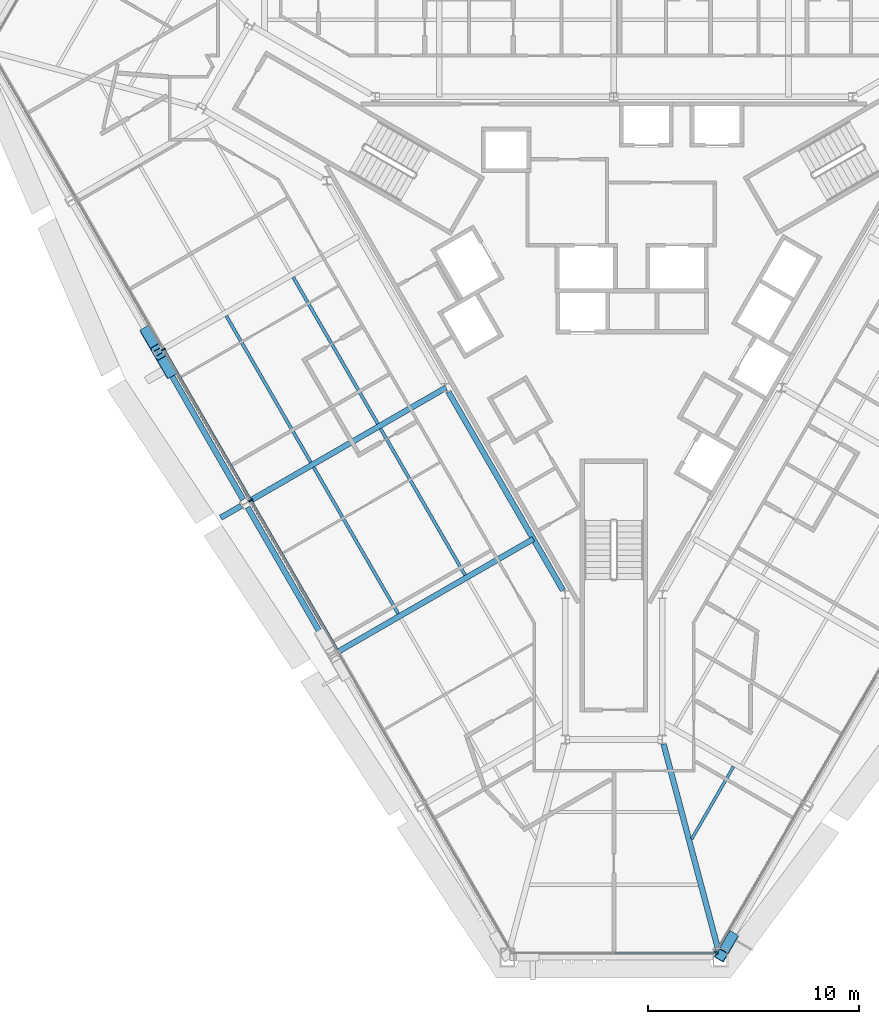
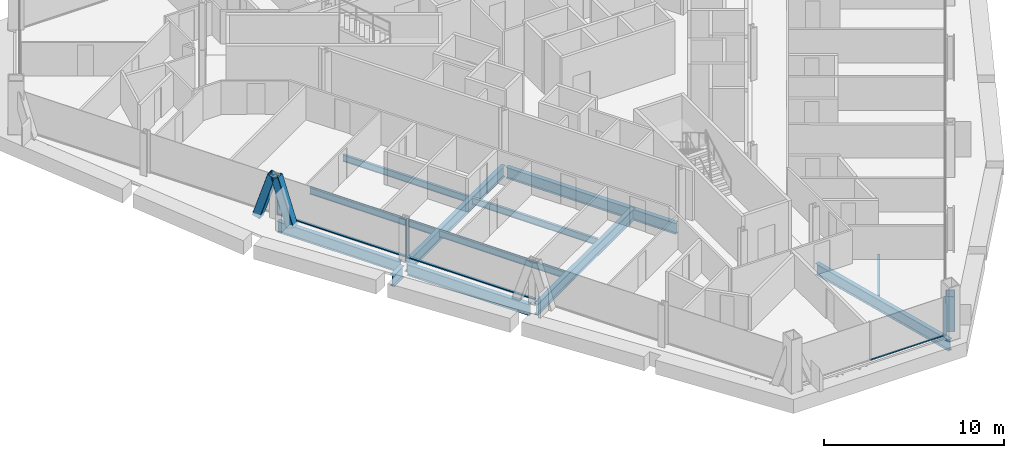
# One storey, part 4 of 17: 12 beams, 9 members, 3 elements without a shape of their own.
"""IFC4 building model written with IfcOpenShell, lengths in metres."""

from ifc_helpers import new_model, si_unit, direction, frame, origin, origin_2d, place, context, subcontext, project, spatial, rectangle, hollow_rectangle, i_section, extrude, material, material_profile, profile_set, type_object, element, aggregate, save


model = new_model("IFC4")

# Units and contexts
model_context = context("Model", 3, precision=1e-05, world=origin(), true_north=direction((0.0, 1.0)))
body_context = subcontext(model_context, "Body", "Model", "MODEL_VIEW")
ifc_project = project(units=[si_unit("LENGTHUNIT", "METRE"), si_unit("AREAUNIT", "SQUARE_METRE"), si_unit("VOLUMEUNIT", "CUBIC_METRE"), si_unit("PLANEANGLEUNIT", "RADIAN"), si_unit("MASSUNIT", "GRAM", prefix="KILO")], contexts=[model_context])

# Site, building, storey
site_placement = place(None, origin())
site = spatial("IfcSite", under=ifc_project, at=site_placement, CompositionType="ELEMENT")
building_placement = place(site_placement, origin())
building = spatial("IfcBuilding", under=site, at=building_placement, Name="Verrane Prism Tower", CompositionType="ELEMENT")
storey_placement = place(building_placement, frame((0.0, 0.0, 139.60009765625)))
storey = spatial("IfcBuildingStorey", under=building, at=storey_placement, Name="L34", CompositionType="ELEMENT", Elevation=139.60009765625)

# Beams
ifc_material_1 = material(Name="Steel A992", Category="steel")
ifc_material_profile_1 = material_profile(ifc_material_1, i_section(OverallWidth=0.2666015625, OverallDepth=0.7568359375, WebThickness=0.013916015625, FlangeThickness=0.019287109375, FilletRadius=0.0166015625, at=origin_2d()), Name="W30x108")
ifc_profile_set_1 = profile_set([ifc_material_profile_1], Name="Steel A992")
beam_type_1 = type_object("IfcBeamType", Name="Core ring girder W30x108", PredefinedType="BEAM", material=ifc_profile_set_1)
beam_1_placement = place(storey_placement, frame((-7.85498046875, -4.79931640625, -0.628662109375), z_axis=(0.500034555306, -0.86600545235, 0.0), x_axis=(0.86600545235, 0.500034555306, 0.0)))
element("IfcBeam", 1, at=beam_1_placement, inside=storey, type_object=beam_type_1, Name="Core ring girder L34", PredefinedType="BEAM", context=body_context, shape_type="SweptSolid", body=[
    extrude(i_section(OverallWidth=0.2666015625, OverallDepth=0.7568359375, WebThickness=0.013916015625, FlangeThickness=0.019287109375, FilletRadius=0.0166015625, at=origin_2d()), origin(), (0.0, 0.0, 1.0), 10.879150390625),
])
ifc_material_2 = material(Name="Steel A992", Category="steel")
ifc_material_profile_2 = material_profile(ifc_material_2, i_section(OverallWidth=0.2666015625, OverallDepth=0.76708984375, WebThickness=0.014892578125, FlangeThickness=0.023681640625, FilletRadius=0.0166015625, at=origin_2d()), Name="W30x124")
ifc_profile_set_2 = profile_set([ifc_material_profile_2], Name="Steel A992")
beam_type_2 = type_object("IfcBeamType", Name="Corner girder W30x124", PredefinedType="BEAM", material=ifc_profile_set_2)
beam_2_placement = place(storey_placement, frame((5.048828125, -31.6357421875, -0.603515625), z_axis=(-0.25700370652, 0.966410417387, 0.0), x_axis=(-0.966410417387, -0.25700370652, 0.0)))
element("IfcBeam", 2, at=beam_2_placement, inside=storey, type_object=beam_type_2, Name="Corner girder L34", PredefinedType="BEAM", context=body_context, shape_type="SweptSolid", body=[
    extrude(i_section(OverallWidth=0.2666015625, OverallDepth=0.76708984375, WebThickness=0.014892578125, FlangeThickness=0.023681640625, FilletRadius=0.0166015625, at=origin_2d()), origin(), (0.0, 0.0, 1.0), 10.470458984375),
])

# Members
ifc_material_3 = material(Name="Steel A1085 Grade A", Category="steel")
ifc_material_profile_3 = material_profile(ifc_material_3, hollow_rectangle(XDim=0.508056640625, YDim=0.508056640625, WallThickness=0.025390625, InnerFilletRadius=0.0126953125, OuterFilletRadius=0.0380859375, at=origin_2d()), Name="HSS20x20x1")
ifc_profile_set_3 = profile_set([ifc_material_profile_3], Name="Steel A1085 Grade A")
member_type_1 = type_object("IfcMemberType", Name="Facade brace HSS20x20x1", PredefinedType="BRACE", material=ifc_profile_set_3)
member_1_placement = place(storey_placement, frame((-22.17529296875, -1.966796875, -0.24267578125), z_axis=(0.152516455666, -0.265407423844, 0.951996654469), x_axis=(0.867037295615, 0.498243241814, 0.0)))
element("IfcMember", 3, at=member_1_placement, inside=storey, type_object=member_type_1, Name="Facade brace SW1 L34", PredefinedType="BRACE", context=body_context, shape_type="SweptSolid", body=[
    extrude(hollow_rectangle(XDim=0.508056640625, YDim=0.508056640625, WallThickness=0.025390625, InnerFilletRadius=0.0126953125, OuterFilletRadius=0.0380859375, at=origin_2d()), origin(), (0.0, 0.0, 1.0), 3.222412109375),
])
member_2_placement = place(storey_placement, frame((-21.085693359375, -3.85498046875, -0.24267578125), z_axis=(-0.15287987781, 0.263844746979, 0.952372664692), x_axis=(-0.865244706147, -0.501349776587, 0.0)))
element("IfcMember", 4, at=member_2_placement, inside=storey, type_object=member_type_1, Name="Facade brace SW2 L34", PredefinedType="BRACE", context=body_context, shape_type="SweptSolid", body=[
    extrude(hollow_rectangle(XDim=0.508056640625, YDim=0.508056640625, WallThickness=0.025390625, InnerFilletRadius=0.0126953125, OuterFilletRadius=0.0380859375, at=origin_2d()), origin(), (0.0, 0.0, 1.0), 3.220947265625),
])
member_3_placement = place(storey_placement, frame((5.593994140625, -30.696533203125, -0.24267578125), z_axis=(-0.153317843434, -0.263967399248, 0.952268266309), x_axis=(0.864722862712, -0.502249311302, 0.0)))
element("IfcMember", 5, at=member_3_placement, inside=storey, type_object=member_type_1, Name="Facade brace SE0 L34", PredefinedType="BRACE", context=body_context, shape_type="SweptSolid", body=[
    extrude(hollow_rectangle(XDim=0.508056640625, YDim=0.508056640625, WallThickness=0.025390625, InnerFilletRadius=0.0126953125, OuterFilletRadius=0.0380859375, at=origin_2d()), origin(), (0.0, 0.0, 1.0), 3.221435546875),
])

# Beams
ifc_material_4 = material(Name="Steel A992", Category="steel")
ifc_material_profile_4 = material_profile(ifc_material_4, i_section(OverallWidth=0.140380859375, OverallDepth=0.40380859375, WebThickness=0.007080078125, FlangeThickness=0.01123046875, FilletRadius=0.01025390625, at=origin_2d()), Name="W16x31")
ifc_profile_set_4 = profile_set([ifc_material_profile_4], Name="Steel A992")
beam_type_3 = type_object("IfcBeamType", Name="Floor beam W16x31", PredefinedType="BEAM", material=ifc_profile_set_4)
beam_3_placement = place(storey_placement, frame((3.69482421875, -26.025390625, -0.362060546875), z_axis=(0.500073727646, 0.865982832923, 0.0), x_axis=(-0.865982832923, 0.500073727646, 0.0)))
element("IfcBeam", 6, at=beam_3_placement, inside=storey, type_object=beam_type_3, Name="Floor beam L34", PredefinedType="BEAM", context=body_context, shape_type="SweptSolid", body=[
    extrude(i_section(OverallWidth=0.140380859375, OverallDepth=0.40380859375, WebThickness=0.007080078125, FlangeThickness=0.01123046875, FilletRadius=0.01025390625, at=origin_2d()), origin(), (0.0, 0.0, 1.0), 3.970703125),
])
ifc_material_5 = material(Name="Steel A992", Category="steel")
ifc_material_profile_5 = material_profile(ifc_material_5, i_section(OverallWidth=0.15234375, OverallDepth=0.449462890625, WebThickness=0.007568359375, FlangeThickness=0.0107421875, FilletRadius=0.01025390625, at=origin_2d()), Name="W18x35")
ifc_profile_set_5 = profile_set([ifc_material_profile_5], Name="Steel A992")
beam_type_4 = type_object("IfcBeamType", Name="Floor beam W18x35", PredefinedType="BEAM", material=ifc_profile_set_5)
for number, where, z_axis, x_axis, name in (
    (7, (-11.20458984375, -6.314453125, -0.385009765625), (-0.500007577232, 0.866021029023, 0.0), (-0.866021029023, -0.500007577232, 0.0), "Floor beam L34"),
    (8, (-14.380615234375, -8.1494140625, -0.385009765625), (-0.500007577232, 0.866021029023, 0.0), (-0.866021029023, -0.500007577232, 0.0), "Floor beam L34"),
):
    element("IfcBeam", number, at=place(storey_placement, frame(where, z_axis=z_axis, x_axis=x_axis)), inside=storey, type_object=beam_type_4, Name=name, PredefinedType="BEAM", context=body_context, shape_type="SweptSolid", body=[
        extrude(i_section(OverallWidth=0.15234375, OverallDepth=0.449462890625, WebThickness=0.007568359375, FlangeThickness=0.0107421875, FilletRadius=0.01025390625, at=origin_2d()), origin(), (0.0, 0.0, 1.0), 8.02978515625),
    ])
beam_4_placement = place(storey_placement, frame((-7.061279296875, -13.498291015625, -0.385009765625), z_axis=(-0.499996300355, 0.866027539765, 0.0), x_axis=(-0.866027539765, -0.499996300355, 0.0)))
element("IfcBeam", 9, at=beam_4_placement, inside=storey, type_object=beam_type_4, Name="Floor beam L34", PredefinedType="BEAM", context=body_context, shape_type="SweptSolid", body=[
    extrude(i_section(OverallWidth=0.15234375, OverallDepth=0.449462890625, WebThickness=0.007568359375, FlangeThickness=0.0107421875, FilletRadius=0.01025390625, at=origin_2d()), origin(), (0.0, 0.0, 1.0), 8.02587890625),
])
beam_5_placement = place(storey_placement, frame((-10.235595703125, -15.33251953125, -0.385009765625), z_axis=(-0.500005942522, 0.86602197284, 0.0), x_axis=(-0.86602197284, -0.500005942522, 0.0)))
element("IfcBeam", 10, at=beam_5_placement, inside=storey, type_object=beam_type_4, Name="Floor beam L34", PredefinedType="BEAM", context=body_context, shape_type="SweptSolid", body=[
    extrude(i_section(OverallWidth=0.15234375, OverallDepth=0.449462890625, WebThickness=0.007568359375, FlangeThickness=0.0107421875, FilletRadius=0.01025390625, at=origin_2d()), origin(), (0.0, 0.0, 1.0), 8.0263671875),
])

# Curtain wall, members
ifc_material_6 = material(Name="Aluminium framed insulated glazing", Category="aluminium")
curtain_wall_type_1 = type_object("IfcCurtainWallType", Name="Curtain wall CW-A 8400 module", PredefinedType="NOTDEFINED", material=ifc_material_6)
curtain_wall_1_placement = place(storey_placement, origin())
curtain_wall_1 = element("IfcCurtainWall", 11, at=curtain_wall_1_placement, inside=storey, type_object=curtain_wall_type_1, Name="Glazed curtain wall south-west face L34", PredefinedType="NOTDEFINED")
ifc_material_7 = material(Name="Aluminium alloy 6063-T6", Category="aluminium")
ifc_material_profile_6 = material_profile(ifc_material_7, rectangle(XDim=0.199951171875, YDim=0.070068359375, at=origin_2d()), Name="Mullion 70x200 aluminium")
ifc_profile_set_6 = profile_set([ifc_material_profile_6], Name="Aluminium alloy 6063-T6")
member_type_2 = type_object("IfcMemberType", Name="Mullion 70x200 aluminium", PredefinedType="MULLION", material=ifc_profile_set_6)
member_4_placement = place(storey_placement, frame((-21.377197265625, -2.79541015625, 0.0), z_axis=(0.0, 0.0, 1.0), x_axis=(0.866025120648, 0.500000490406, 0.0)))
member_4 = element("IfcMember", 12, at=member_4_placement, type_object=member_type_2, Name="CW32.4 mullion 3", PredefinedType="MULLION", context=body_context, shape_type="SweptSolid", body=[
    extrude(rectangle(XDim=0.199951171875, YDim=0.070068359375, at=origin_2d()), origin(), (0.0, 0.0, 1.0), 2.61279296875),
])
member_5_placement = place(storey_placement, frame((-17.243408203125, -9.95556640625, 0.0), z_axis=(0.0, 0.0, 1.0), x_axis=(0.866025120648, 0.500000490406, 0.0)))
member_5 = element("IfcMember", 13, at=member_5_placement, type_object=member_type_2, Name="CW32.4 mullion 4", PredefinedType="MULLION", context=body_context, shape_type="SweptSolid", body=[
    extrude(rectangle(XDim=0.199951171875, YDim=0.070068359375, at=origin_2d()), origin(), (0.0, 0.0, 1.0), 2.61279296875),
])

# Curtain wall, member
curtain_wall_2_placement = place(storey_placement, origin())
curtain_wall_2 = element("IfcCurtainWall", 14, at=curtain_wall_2_placement, inside=storey, type_object=curtain_wall_type_1, Name="Glazed curtain wall south-east face L34", PredefinedType="NOTDEFINED")
member_6_placement = place(storey_placement, frame((4.859375, -31.4052734375, 0.0), z_axis=(0.0, 0.0, 1.0), x_axis=(-0.866025120648, 0.500000490406, 0.0)))
member_6 = element("IfcMember", 15, at=member_6_placement, type_object=member_type_2, Name="CW32.6 mullion 1", PredefinedType="MULLION", context=body_context, shape_type="SweptSolid", body=[
    extrude(rectangle(XDim=0.199951171875, YDim=0.070068359375, at=origin_2d()), origin(), (0.0, 0.0, 1.0), 2.61279296875),
])
aggregate(curtain_wall_2, [member_6])

# Beams
ifc_material_8 = material(Name="Steel A992", Category="steel")
ifc_material_profile_7 = material_profile(ifc_material_8, i_section(OverallWidth=0.2666015625, OverallDepth=0.76708984375, WebThickness=0.014892578125, FlangeThickness=0.023681640625, FilletRadius=0.0166015625, at=origin_2d()), Name="W30x124")
ifc_profile_set_7 = profile_set([ifc_material_profile_7], Name="Steel A992")
beam_type_5 = type_object("IfcBeamType", Name="Radial girder W30x124", PredefinedType="BEAM", material=ifc_profile_set_7)
beam_6_placement = place(storey_placement, frame((-17.293212890625, -9.986328125, -0.603515625), z_axis=(0.866028508142, 0.499994623057, 0.0), x_axis=(-0.499994623057, 0.866028508142, 0.0)))
element("IfcBeam", 16, at=beam_6_placement, inside=storey, type_object=beam_type_5, Name="Radial girder L34", PredefinedType="BEAM", context=body_context, shape_type="SweptSolid", body=[
    extrude(i_section(OverallWidth=0.2666015625, OverallDepth=0.76708984375, WebThickness=0.014892578125, FlangeThickness=0.023681640625, FilletRadius=0.0166015625, at=origin_2d()), origin(), (0.0, 0.0, 1.0), 10.76708984375),
])
beam_7_placement = place(storey_placement, frame((-13.14306640625, -17.166259765625, -0.603515625), z_axis=(0.86602769501, 0.499996031459, 0.0), x_axis=(-0.499996031459, 0.86602769501, 0.0)))
element("IfcBeam", 17, at=beam_7_placement, inside=storey, type_object=beam_type_5, Name="Radial girder L34", PredefinedType="BEAM", context=body_context, shape_type="SweptSolid", body=[
    extrude(i_section(OverallWidth=0.2666015625, OverallDepth=0.76708984375, WebThickness=0.014892578125, FlangeThickness=0.023681640625, FilletRadius=0.0166015625, at=origin_2d()), origin(), (0.0, 0.0, 1.0), 10.76318359375),
])
beam_8_placement = place(storey_placement, frame((-17.683349609375, -10.211669921875, -0.603515625), z_axis=(-0.866070617526, -0.499921679324, 0.0), x_axis=(0.499921679324, -0.866070617526, 0.0)))
element("IfcBeam", 18, at=beam_8_placement, inside=storey, type_object=beam_type_5, Name="Cantilever girder L34", PredefinedType="BEAM", context=body_context, shape_type="SweptSolid", body=[
    extrude(i_section(OverallWidth=0.2666015625, OverallDepth=0.76708984375, WebThickness=0.014892578125, FlangeThickness=0.023681640625, FilletRadius=0.0166015625, at=origin_2d()), origin(), (0.0, 0.0, 1.0), 1.131591796875),
])
ifc_material_9 = material(Name="Steel A992", Category="steel")
ifc_material_profile_8 = material_profile(ifc_material_9, i_section(OverallWidth=0.2666015625, OverallDepth=0.7568359375, WebThickness=0.013916015625, FlangeThickness=0.019287109375, FilletRadius=0.0166015625, at=origin_2d()), Name="W30x108")
ifc_profile_set_8 = profile_set([ifc_material_profile_8], Name="Steel A992")
beam_type_6 = type_object("IfcBeamType", Name="Spandrel beam W30x108", PredefinedType="SPANDREL", material=ifc_profile_set_8)
beam_9_placement = place(storey_placement, frame((-21.525390625, -3.091552734375, -0.53857421875), z_axis=(0.49898983609, -0.86660783719, 0.0), x_axis=(0.86660783719, 0.49898983609, 0.0)))
element("IfcBeam", 19, at=beam_9_placement, inside=storey, type_object=beam_type_6, Name="Spandrel beam L34", PredefinedType="SPANDREL", context=body_context, shape_type="SweptSolid", body=[
    extrude(i_section(OverallWidth=0.2666015625, OverallDepth=0.7568359375, WebThickness=0.013916015625, FlangeThickness=0.019287109375, FilletRadius=0.0166015625, at=origin_2d()), origin(), (0.0, 0.0, 1.0), 7.877685546875),
])
beam_10_placement = place(storey_placement, frame((-17.385009765625, -10.281494140625, -0.53857421875), z_axis=(0.500410353056, -0.865788356675, 0.0), x_axis=(0.865788356675, 0.500410353056, 0.0)))
element("IfcBeam", 20, at=beam_10_placement, inside=storey, type_object=beam_type_6, Name="Spandrel beam L34", PredefinedType="SPANDREL", context=body_context, shape_type="SweptSolid", body=[
    extrude(i_section(OverallWidth=0.2666015625, OverallDepth=0.7568359375, WebThickness=0.013916015625, FlangeThickness=0.019287109375, FilletRadius=0.0166015625, at=origin_2d()), origin(), (0.0, 0.0, 1.0), 7.8740234375),
])

# Curtain wall, member
ifc_material_10 = material(Name="Aluminium framed insulated glazing", Category="aluminium")
curtain_wall_type_2 = type_object("IfcCurtainWallType", Name="Curtain wall CW-C 4200 module", PredefinedType="NOTDEFINED", material=ifc_material_10)
curtain_wall_3_placement = place(storey_placement, origin())
curtain_wall_3 = element("IfcCurtainWall", 21, at=curtain_wall_3_placement, inside=storey, type_object=curtain_wall_type_2, Name="Glazed curtain wall south corner L34", PredefinedType="NOTDEFINED")
ifc_material_11 = material(Name="Aluminium alloy 6063-T6", Category="aluminium")
ifc_material_profile_9 = material_profile(ifc_material_11, rectangle(XDim=0.10009765625, YDim=0.050048828125, at=origin_2d()), Name="Transom 50x100 aluminium")
ifc_profile_set_9 = profile_set([ifc_material_profile_9], Name="Aluminium alloy 6063-T6")
member_type_3 = type_object("IfcMemberType", Name="Transom 50x100 aluminium", PredefinedType="USERDEFINED", material=ifc_profile_set_9)
member_7_placement = place(storey_placement, frame((0.02490234375, -31.435546875, 0.02490234375), z_axis=(1.0, 0.0, 0.0), x_axis=(0.0, 1.0, 0.0)))
member_7 = element("IfcMember", 22, at=member_7_placement, type_object=member_type_3, Name="CW32.5 transom 2", ObjectType="TRANSOM", PredefinedType="USERDEFINED", context=body_context, shape_type="SweptSolid", body=[
    extrude(rectangle(XDim=0.10009765625, YDim=0.050048828125, at=origin_2d()), origin(), (0.0, 0.0, 1.0), 4.81689453125),
])
aggregate(curtain_wall_3, [member_7])

# Member
ifc_material_12 = material(Name="Aluminium alloy 6063-T6", Category="aluminium")
ifc_material_profile_10 = material_profile(ifc_material_12, rectangle(XDim=0.14990234375, YDim=0.070068359375, at=origin_2d()), Name="Transom 70x150 aluminium")
ifc_profile_set_10 = profile_set([ifc_material_profile_10], Name="Aluminium alloy 6063-T6")
member_type_4 = type_object("IfcMemberType", Name="Transom 70x150 aluminium", PredefinedType="USERDEFINED", material=ifc_profile_set_10)
member_8_placement = place(storey_placement, frame((-21.359619140625, -2.825927734375, 0.034912109375), z_axis=(0.499982834708, -0.866035313943, 0.0), x_axis=(0.866035313943, 0.499982834708, 0.0)))
member_8 = element("IfcMember", 23, at=member_8_placement, type_object=member_type_4, Name="CW32.4 transom 3", ObjectType="TRANSOM", PredefinedType="USERDEFINED", context=body_context, shape_type="SweptSolid", body=[
    extrude(rectangle(XDim=0.14990234375, YDim=0.070068359375, at=origin_2d()), origin(), (0.0, 0.0, 1.0), 8.197509765625),
])

member_9_placement = place(storey_placement, frame((-17.225830078125, -9.98583984375, 0.034912109375), z_axis=(0.500005171338, -0.866022418091, 0.0), x_axis=(0.866022418091, 0.500005171338, 0.0)))
member_9 = element("IfcMember", 24, at=member_9_placement, type_object=member_type_4, Name="CW32.4 transom 4", ObjectType="TRANSOM", PredefinedType="USERDEFINED", context=body_context, shape_type="SweptSolid", body=[
    extrude(rectangle(XDim=0.14990234375, YDim=0.070068359375, at=origin_2d()), origin(), (0.0, 0.0, 1.0), 8.19775390625),
])

aggregate(curtain_wall_1, [member_4, member_5, member_8, member_9])

save(model, "model.ifc")
